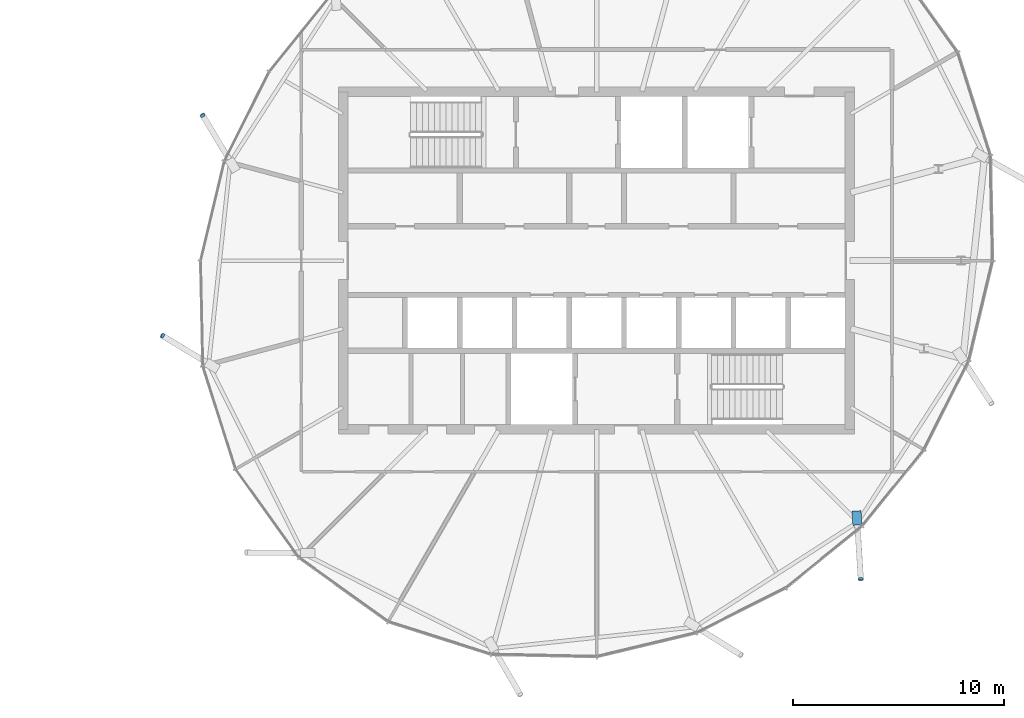
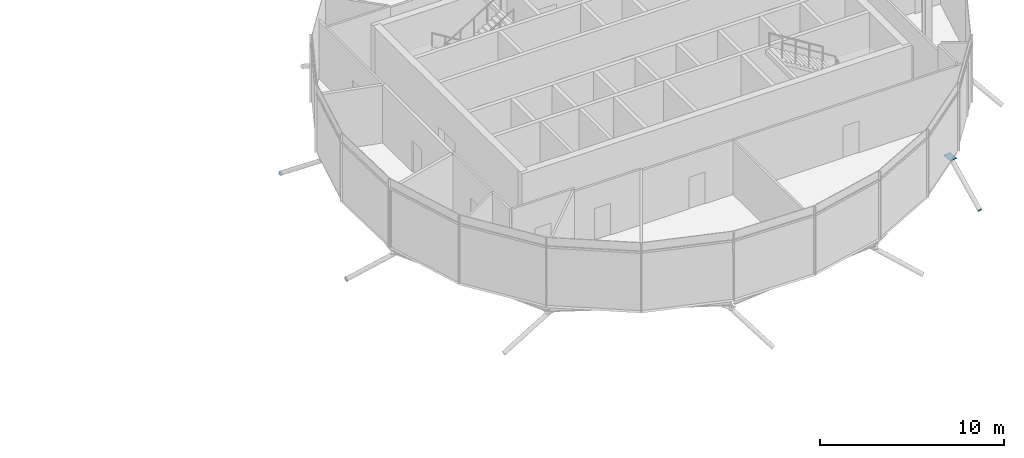
# One storey, part 27 of 31: 4 discrete accessories.
"""IFC4 building model written with IfcOpenShell, lengths in metres."""

from ifc_helpers import new_model, si_unit, direction, frame, origin, origin_2d, place, context, subcontext, project, spatial, polyline, rectangle, circle, outline, extrude, material, material_profile, profile_set, type_object, element, save


model = new_model("IFC4")

# Units and contexts
model_context = context("Model", 3, precision=1e-05, world=origin(), true_north=direction((0.0, 1.0)))
body_context = subcontext(model_context, "Body", "Model", "MODEL_VIEW")
ifc_project = project(units=[si_unit("LENGTHUNIT", "METRE"), si_unit("AREAUNIT", "SQUARE_METRE"), si_unit("VOLUMEUNIT", "CUBIC_METRE"), si_unit("PLANEANGLEUNIT", "RADIAN"), si_unit("MASSUNIT", "GRAM", prefix="KILO")], contexts=[model_context])

# Site, building, storey
site_placement = place(None, origin())
site = spatial("IfcSite", under=ifc_project, at=site_placement, CompositionType="ELEMENT")
building_placement = place(site_placement, origin())
building = spatial("IfcBuilding", under=site, at=building_placement, Name="Rimbun Link Towers", CompositionType="ELEMENT")
storey_placement = place(building_placement, frame((0.0, 0.0, 263.10009765625)))
storey = spatial("IfcBuildingStorey", under=building, at=storey_placement, Name="L64", CompositionType="ELEMENT", Elevation=263.10009765625)

# Discrete accessories
ifc_material_1 = material(Name="Steel S355J2H", Category="steel")
ifc_material_profile_1 = material_profile(ifc_material_1, circle(Radius=0.1240234375, at=origin_2d()), Name="PL D248")
ifc_profile_set_1 = profile_set([ifc_material_profile_1], Name="Steel S355J2H")
discrete_accessory_type_1 = type_object("IfcDiscreteAccessoryType", Name="Link foot sealing plate D248X20", PredefinedType="BRACKET", material=ifc_profile_set_1)
discrete_accessory_1_placement = place(storey_placement, frame((13.0869140625, 6.87451171875, -2.3427734375), z_axis=(-0.430364013545, 0.713174651018, -0.553325160273), x_axis=(-0.856187661066, -0.516664967884, 0.0)))
element("IfcDiscreteAccessory", 1, at=discrete_accessory_1_placement, inside=storey, type_object=discrete_accessory_type_1, Name="Link foot sealing plate T2 L64 08", PredefinedType="BRACKET", context=body_context, shape_type="SweptSolid", body=[
    extrude(circle(Radius=0.1240234375, at=origin_2d()), origin(), (0.0, 0.0, 1.0), 0.019775390625),
])
discrete_accessory_2_placement = place(storey_placement, frame((11.1875, -3.56640625, -2.37255859375), z_axis=(-0.709377301281, 0.440303152519, -0.550378940649), x_axis=(-0.527362861778, -0.849640166198, 0.0)))
element("IfcDiscreteAccessory", 2, at=discrete_accessory_2_placement, inside=storey, type_object=discrete_accessory_type_1, Name="Link foot sealing plate T2 L64 10", PredefinedType="BRACKET", context=body_context, shape_type="SweptSolid", body=[
    extrude(circle(Radius=0.1240234375, at=origin_2d()), origin(), (0.0, 0.0, 1.0), 0.02001953125),
])
discrete_accessory_3_placement = place(storey_placement, frame((44.270263671875, -15.07958984375, -2.381103515625), z_axis=(0.048322713571, -0.845647487484, -0.531549849276), x_axis=(0.998371334424, 0.057049790539, 0.0)))
element("IfcDiscreteAccessory", 3, at=discrete_accessory_3_placement, inside=storey, type_object=discrete_accessory_type_1, Name="Link foot sealing plate T2 L64 18", PredefinedType="BRACKET", context=body_context, shape_type="SweptSolid", body=[
    extrude(circle(Radius=0.1240234375, at=origin_2d()), origin(), (0.0, 0.0, 1.0), 0.020263671875),
])
ifc_material_2 = material(Name="Steel S355J2H", Category="steel")
ifc_material_profile_2 = material_profile(ifc_material_2, rectangle(XDim=0.43310546875, YDim=0.43310546875, at=origin_2d()), Name="PL 433x433")
ifc_profile_set_2 = profile_set([ifc_material_profile_2], Name="Steel S355J2H")
discrete_accessory_type_2 = type_object("IfcDiscreteAccessoryType", Name="Link head end plate 433X20", PredefinedType="BRACKET", material=ifc_profile_set_2)
discrete_accessory_4_placement = place(storey_placement, frame((0.0, 0.0, -0.55517578125)))
element("IfcDiscreteAccessory", 4, at=discrete_accessory_4_placement, inside=storey, type_object=discrete_accessory_type_2, Name="Link head end plate T2 L64 18", PredefinedType="BRACKET", context=body_context, shape_type="SweptSolid", body=[
    extrude(outline(polyline([(43.8515625, -11.876708984375), (43.893798828125, -12.5458984375), (44.325927734375, -12.518798828125), (44.28369140625, -11.849365234375), (43.8515625, -11.876708984375)])), origin(), (0.0, 0.0, 1.0), 0.02001953125),
])

save(model, "model.ifc")
